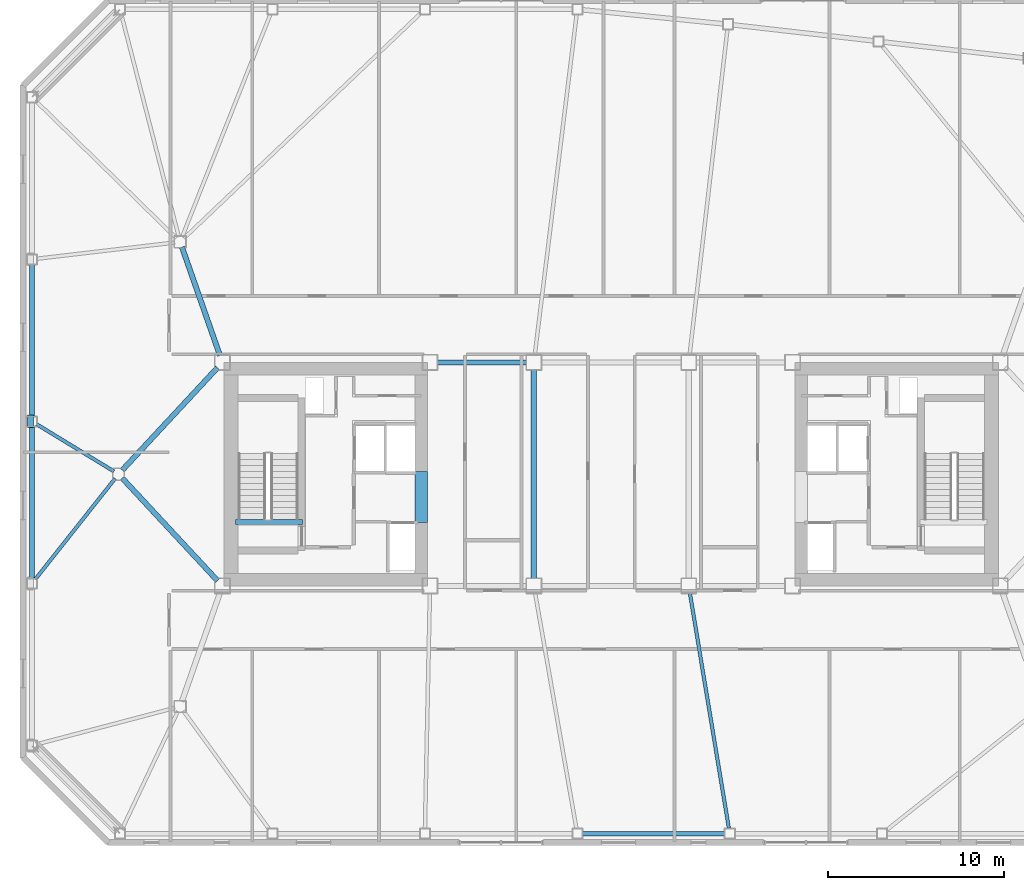
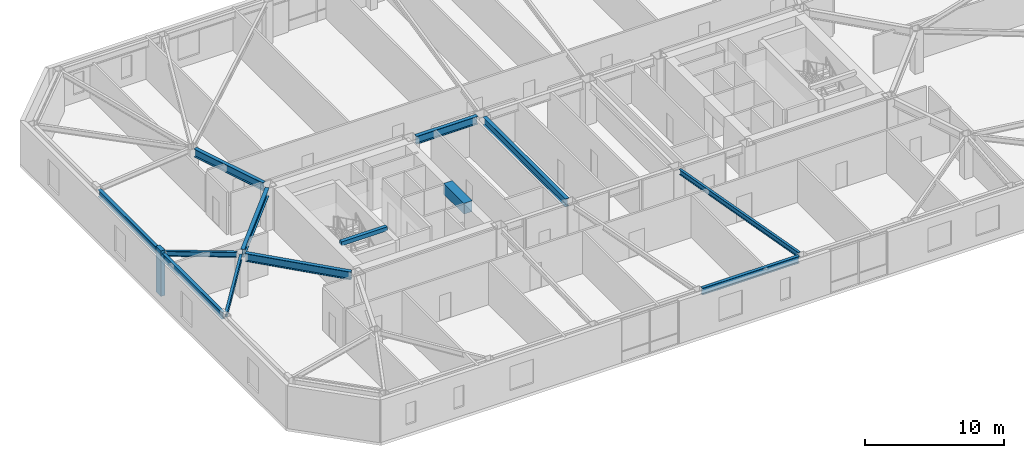
# One storey, part 3 of 18: 13 beams, 1 member.
"""IFC4 building model written with IfcOpenShell, lengths in metres."""

from ifc_helpers import new_model, si_unit, direction, frame, origin, origin_2d, place, context, subcontext, project, spatial, rectangle, i_section, extrude, material, material_profile, profile_set, type_object, element, save


model = new_model("IFC4")

# Units and contexts
model_context = context("Model", 3, precision=1e-05, world=origin(), true_north=direction((0.0, 1.0)))
body_context = subcontext(model_context, "Body", "Model", "MODEL_VIEW")
ifc_project = project(units=[si_unit("LENGTHUNIT", "METRE"), si_unit("AREAUNIT", "SQUARE_METRE"), si_unit("VOLUMEUNIT", "CUBIC_METRE"), si_unit("PLANEANGLEUNIT", "RADIAN"), si_unit("MASSUNIT", "GRAM", prefix="KILO")], contexts=[model_context])

# Site, building, storey
site_placement = place(None, origin())
site = spatial("IfcSite", under=ifc_project, at=site_placement, CompositionType="ELEMENT")
building_placement = place(site_placement, origin())
building = spatial("IfcBuilding", under=site, at=building_placement, Name="Tavrogorsk Clinical Tower", CompositionType="ELEMENT")
storey_placement = place(building_placement, frame((0.0, 0.0, 196.199951171875)))
storey = spatial("IfcBuildingStorey", under=building, at=storey_placement, Name="L45", CompositionType="ELEMENT", Elevation=196.199951171875)

# Beams
ifc_material_1 = material(Name="Concrete B80", Category="concrete")
ifc_material_profile_1 = material_profile(ifc_material_1, rectangle(XDim=0.699951171875, YDim=0.949951171875, at=origin_2d()), Name="RC-CB-700x950")
ifc_profile_set_1 = profile_set([ifc_material_profile_1], Name="Concrete B80")
beam_type_1 = type_object("IfcBeamType", Name="CouplingBeam_RC700x950", PredefinedType="LINTEL", material=ifc_profile_set_1)
beam_1_placement = place(storey_placement, frame((-10.800048828125, -2.75, 3.26513671875), z_axis=(0.0, 1.0, 0.0), x_axis=(-1.0, 0.0, 0.0)))
element("IfcBeam", 1, at=beam_1_placement, inside=storey, type_object=beam_type_1, Name="L45 Core West Coupling Beam", PredefinedType="LINTEL", context=body_context, shape_type="SweptSolid", body=[
    extrude(rectangle(XDim=0.699951171875, YDim=0.949951171875, at=origin_2d()), origin(), (0.0, 0.0, 1.0), 2.89990234375),
])
ifc_material_2 = material(Name="Structural steel S355", Category="steel")
ifc_material_profile_2 = material_profile(ifc_material_2, i_section(OverallWidth=0.199951171875, OverallDepth=0.449951171875, WebThickness=0.011474609375, FlangeThickness=0.01806640625, at=origin_2d()), Name="B-450x200x11.5x18")
ifc_profile_set_2 = profile_set([ifc_material_profile_2], Name="Structural steel S355")
beam_type_2 = type_object("IfcBeamType", Name="FloorBeam_B450", PredefinedType="BEAM", material=ifc_profile_set_2)
beam_2_placement = place(storey_placement, frame((4.467041015625, -6.75439453125, 3.51513671875), z_axis=(0.16347521907, -0.986547440699, 0.0), x_axis=(0.986547440699, 0.16347521907, 0.0)))
element("IfcBeam", 2, at=beam_2_placement, inside=storey, type_object=beam_type_2, Name="L45 Radial Floor Beam S5", PredefinedType="BEAM", context=body_context, shape_type="SweptSolid", body=[
    extrude(i_section(OverallWidth=0.199951171875, OverallDepth=0.449951171875, WebThickness=0.011474609375, FlangeThickness=0.01806640625, at=origin_2d()), origin(), (0.0, 0.0, 1.0), 13.5439453125),
])
beam_3_placement = place(storey_placement, frame((-28.2646484375, 0.161376953125, 3.51513671875), z_axis=(-0.853798748257, 0.520603205402, 0.0), x_axis=(-0.520603205402, -0.853798748257, 0.0)))
element("IfcBeam", 3, at=beam_3_placement, inside=storey, type_object=beam_type_2, Name="L45 Radial Floor Beam W3", PredefinedType="BEAM", context=body_context, shape_type="SweptSolid", body=[
    extrude(i_section(OverallWidth=0.199951171875, OverallDepth=0.449951171875, WebThickness=0.011474609375, FlangeThickness=0.01806640625, at=origin_2d()), origin(), (0.0, 0.0, 1.0), 5.14453125),
])
beam_4_placement = place(storey_placement, frame((-28.192626953125, -0.242919921875, 3.51513671875), z_axis=(-0.620987118336, -0.783820769603, 0.0), x_axis=(0.783820769603, -0.620987118336, 0.0)))
element("IfcBeam", 4, at=beam_4_placement, inside=storey, type_object=beam_type_2, Name="L45 Radial Floor Beam W4", PredefinedType="BEAM", context=body_context, shape_type="SweptSolid", body=[
    extrude(i_section(OverallWidth=0.199951171875, OverallDepth=0.449951171875, WebThickness=0.011474609375, FlangeThickness=0.01806640625, at=origin_2d()), origin(), (0.0, 0.0, 1.0), 7.3046875),
])

# Member
ifc_material_3 = material(Name="Precast concrete B45 with limestone cladding", Category="masonry")
ifc_material_profile_3 = material_profile(ifc_material_3, rectangle(XDim=0.320068359375, YDim=0.719970703125, at=origin_2d()), Name="LIMESTONE-FIN-320x720")
ifc_profile_set_3 = profile_set([ifc_material_profile_3], Name="Precast concrete B45 with limestone cladding")
member_type = type_object("IfcMemberType", Name="LimestonePleatFin_320x720", PredefinedType="USERDEFINED", material=ifc_profile_set_3)
member_placement = place(storey_placement, frame((-33.0, 3.0, 0.0), z_axis=(0.0, 0.0, 1.0), x_axis=(1.0, 0.0, 0.0)))
element("IfcMember", 5, at=member_placement, inside=storey, type_object=member_type, Name="L45 W Pleated Stone Fin 2", ObjectType="FIN", PredefinedType="USERDEFINED", context=body_context, shape_type="SweptSolid", body=[
    extrude(rectangle(XDim=0.320068359375, YDim=0.719970703125, at=origin_2d()), origin(), (0.0, 0.0, 1.0), 4.0),
])

# Beams
ifc_material_4 = material(Name="Structural steel S390", Category="steel")
ifc_material_profile_4 = material_profile(ifc_material_4, i_section(OverallWidth=0.300048828125, OverallDepth=0.699951171875, WebThickness=0.01708984375, FlangeThickness=0.028076171875, at=origin_2d()), Name="B-700x300x17x28")
ifc_profile_set_4 = profile_set([ifc_material_profile_4], Name="Structural steel S390")
beam_type_3 = type_object("IfcBeamType", Name="PrimaryGirder_B700", PredefinedType="USERDEFINED", material=ifc_profile_set_4)
beam_5_placement = place(storey_placement, frame((-9.889892578125, 6.35009765625, 3.39013671875), z_axis=(1.0, 0.0, 0.0), x_axis=(0.0, 1.0, 0.0)))
element("IfcBeam", 6, at=beam_5_placement, inside=storey, type_object=beam_type_3, Name="L45 Primary Spine Girder MG-02", ObjectType="GIRDER", PredefinedType="USERDEFINED", context=body_context, shape_type="SweptSolid", body=[
    extrude(i_section(OverallWidth=0.300048828125, OverallDepth=0.699951171875, WebThickness=0.01708984375, FlangeThickness=0.028076171875, at=origin_2d()), origin(), (0.0, 0.0, 1.0), 5.079833984375),
])
beam_6_placement = place(storey_placement, frame((-4.39990234375, -5.93994140625, 3.39013671875), z_axis=(0.0, 1.0, 0.0), x_axis=(-1.0, 0.0, 0.0)))
element("IfcBeam", 7, at=beam_6_placement, inside=storey, type_object=beam_type_3, Name="L45 Primary Spine Girder MG-07", ObjectType="GIRDER", PredefinedType="USERDEFINED", context=body_context, shape_type="SweptSolid", body=[
    extrude(i_section(OverallWidth=0.300048828125, OverallDepth=0.699951171875, WebThickness=0.01708984375, FlangeThickness=0.028076171875, at=origin_2d()), origin(), (0.0, 0.0, 1.0), 11.8798828125),
])
beam_7_placement = place(storey_placement, frame((-24.3974609375, 12.907470703125, 3.39013671875), z_axis=(0.33065312634, -0.94375235631, 0.0), x_axis=(0.94375235631, 0.33065312634, 0.0)))
element("IfcBeam", 8, at=beam_7_placement, inside=storey, type_object=beam_type_3, Name="L45 Spine Link Girder OPG-3", ObjectType="GIRDER", PredefinedType="USERDEFINED", context=body_context, shape_type="SweptSolid", body=[
    extrude(i_section(OverallWidth=0.300048828125, OverallDepth=0.699951171875, WebThickness=0.01708984375, FlangeThickness=0.028076171875, at=origin_2d()), origin(), (0.0, 0.0, 1.0), 6.5380859375),
])
for number, where, z_axis, x_axis, name in (
    (9, (-27.7890625, -0.22705078125, 3.39013671875), (0.680673750312, -0.732586681312, 0.0), (0.732586681312, 0.680673750312, 0.0), "L45 Spine Link Girder OPG-5"),
    (10, (-27.7890625, 0.22705078125, 3.39013671875), (0.680673750312, 0.732586681312, 0.0), (-0.732586681312, 0.680673750312, 0.0), "L45 Spine Link Girder OPG-6"),
):
    element("IfcBeam", number, at=place(storey_placement, frame(where, z_axis=z_axis, x_axis=x_axis)), inside=storey, type_object=beam_type_3, Name=name, ObjectType="GIRDER", PredefinedType="USERDEFINED", context=body_context, shape_type="SweptSolid", body=[
        extrude(i_section(OverallWidth=0.300048828125, OverallDepth=0.699951171875, WebThickness=0.01708984375, FlangeThickness=0.028076171875, at=origin_2d()), origin(), (0.0, 0.0, 1.0), 7.947998046875),
    ])
ifc_material_5 = material(Name="Structural steel S390", Category="steel")
ifc_material_profile_5 = material_profile(ifc_material_5, i_section(OverallWidth=0.260009765625, OverallDepth=0.60009765625, WebThickness=0.014892578125, FlangeThickness=0.02392578125, at=origin_2d()), Name="B-600x260x15x24")
ifc_profile_set_5 = profile_set([ifc_material_profile_5], Name="Structural steel S390")
beam_type_4 = type_object("IfcBeamType", Name="SpandrelBeam_B600", PredefinedType="SPANDREL", material=ifc_profile_set_5)
beam_8_placement = place(storey_placement, frame((-1.623291015625, -20.419921875, 3.43994140625), z_axis=(1.0, 0.0, 0.0), x_axis=(0.0, 1.0, 0.0)))
element("IfcBeam", 11, at=beam_8_placement, inside=storey, type_object=beam_type_4, Name="L45 Perimeter Spandrel S4-S5", PredefinedType="SPANDREL", context=body_context, shape_type="SweptSolid", body=[
    extrude(i_section(OverallWidth=0.260009765625, OverallDepth=0.60009765625, WebThickness=0.014892578125, FlangeThickness=0.02392578125, at=origin_2d()), origin(), (0.0, 0.0, 1.0), 8.046630859375),
])
for number, where, z_axis, x_axis, name in (
    (12, (-32.919921875, 11.902099609375, 3.43994140625), (0.0, -1.0, 0.0), (1.0, 0.0, 0.0), "L45 Perimeter Spandrel W2-W3"),
    (13, (-32.919921875, 2.69189453125, 3.43994140625), (0.0, -1.0, 0.0), (1.0, 0.0, 0.0), "L45 Perimeter Spandrel W3-W4"),
):
    element("IfcBeam", number, at=place(storey_placement, frame(where, z_axis=z_axis, x_axis=x_axis)), inside=storey, type_object=beam_type_4, Name=name, PredefinedType="SPANDREL", context=body_context, shape_type="SweptSolid", body=[
        extrude(i_section(OverallWidth=0.260009765625, OverallDepth=0.60009765625, WebThickness=0.014892578125, FlangeThickness=0.02392578125, at=origin_2d()), origin(), (0.0, 0.0, 1.0), 8.593994140625),
    ])
ifc_material_6 = material(Name="Concrete B60", Category="concrete")
ifc_material_profile_6 = material_profile(ifc_material_6, rectangle(XDim=0.300048828125, YDim=0.35009765625, at=origin_2d()), Name="RC-SHB-300x350")
ifc_profile_set_6 = profile_set([ifc_material_profile_6], Name="Concrete B60")
beam_type_5 = type_object("IfcBeamType", Name="StairHeaderBeam_RC300x350", PredefinedType="BEAM", material=ifc_profile_set_6)
beam_9_placement = place(storey_placement, frame((-21.35009765625, -2.719970703125, 3.824951171875), z_axis=(1.0, 0.0, 0.0), x_axis=(0.0, 1.0, 0.0)))
element("IfcBeam", 14, at=beam_9_placement, inside=storey, type_object=beam_type_5, Name="L46 ST-W Landing Header Beam", PredefinedType="BEAM", context=body_context, shape_type="SweptSolid", body=[
    extrude(rectangle(XDim=0.300048828125, YDim=0.35009765625, at=origin_2d()), origin(), (0.0, 0.0, 1.0), 3.800048828125),
])

save(model, "model.ifc")
